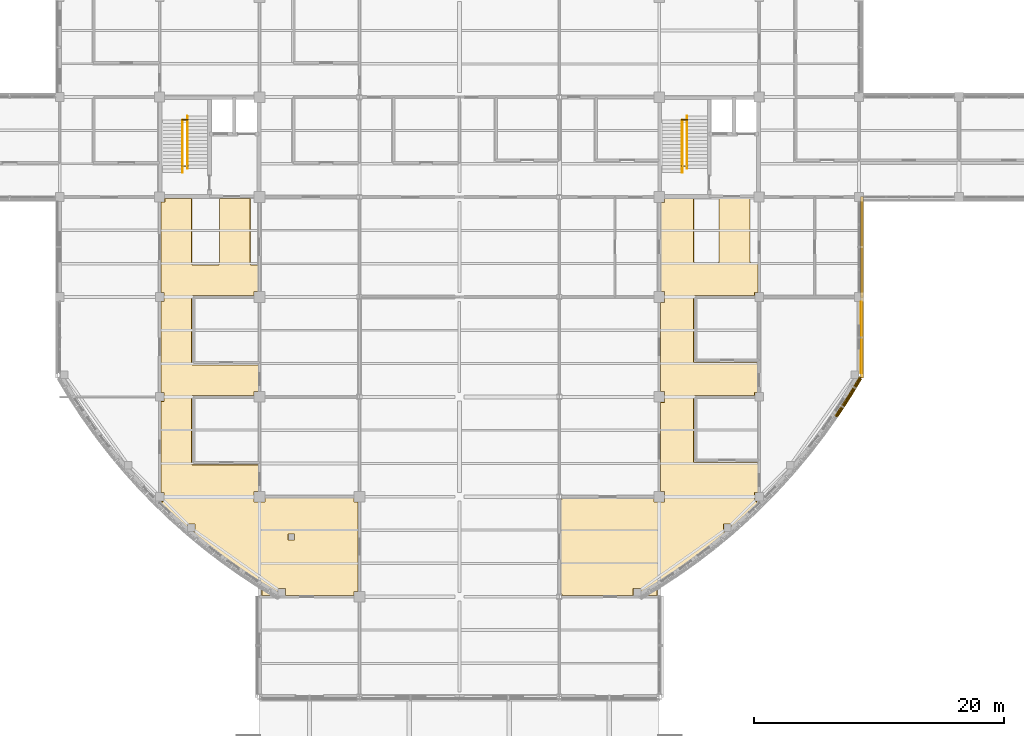
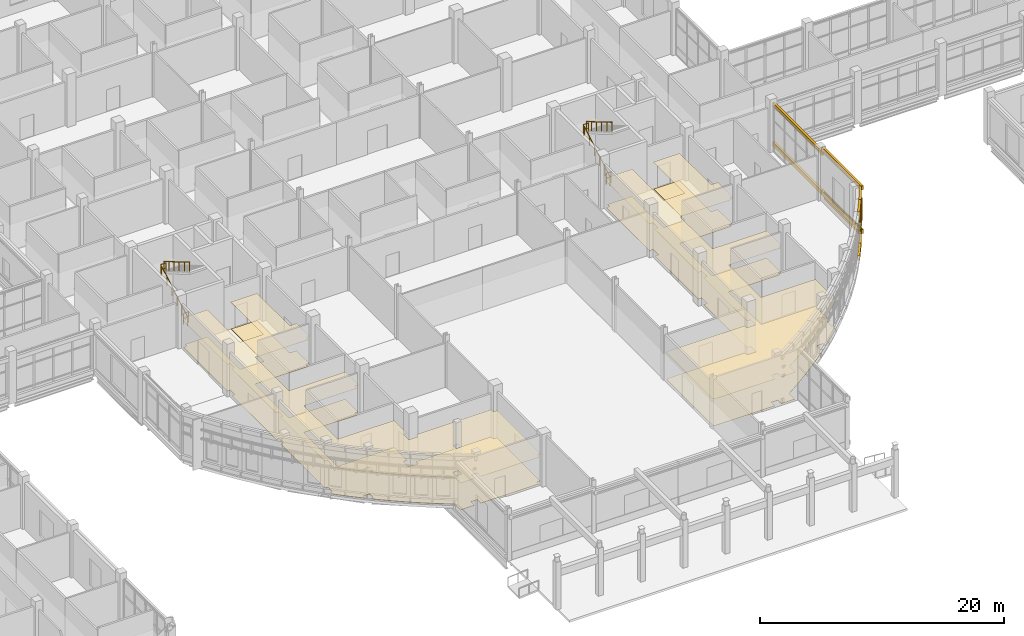
# One storey, part 97 of 105: 13 coverings, 8 railings, 6 shading devices.
"""IFC4 building model written with IfcOpenShell, lengths in metres."""

from ifc_helpers import new_model, si_unit, derived_unit, direction, frame, origin, origin_2d, place, context, subcontext, project, spatial, polyline, rectangle, circle, outline, extrude, material, layer, layer_set, material_profile, profile_set, type_object, element, save


model = new_model("IFC4")

# Units and contexts
model_context = context("Model", 3, precision=1e-05, world=origin(), true_north=direction((0.0, 1.0)))
body_context = subcontext(model_context, "Body", "Model", "MODEL_VIEW")
ifc_project = project(units=[si_unit("LENGTHUNIT", "METRE"), si_unit("AREAUNIT", "SQUARE_METRE"), si_unit("VOLUMEUNIT", "CUBIC_METRE"), si_unit("PLANEANGLEUNIT", "RADIAN"), si_unit("MASSUNIT", "GRAM", prefix="KILO"), derived_unit("THERMALTRANSMITTANCEUNIT", [(si_unit("MASSUNIT", "GRAM", prefix="KILO"), 1), (si_unit("TIMEUNIT", "SECOND"), -3), (si_unit("THERMODYNAMICTEMPERATUREUNIT", "KELVIN"), -1)])], contexts=[model_context])

# Site, building, storey
site_placement = place(None, origin())
site = spatial("IfcSite", under=ifc_project, at=site_placement, CompositionType="ELEMENT")
building_placement = place(site_placement, origin())
building = spatial("IfcBuilding", under=site, at=building_placement, Name="Veyamyaing Civic Hall", CompositionType="ELEMENT")
storey_placement = place(building_placement, origin())
storey = spatial("IfcBuildingStorey", under=building, at=storey_placement, Name="L00", CompositionType="ELEMENT", Elevation=0.0)

# Coverings
ifc_material_1 = material(Name="Buff sandstone ashlar cladding", Category="masonry")
ifc_layer_1 = layer(ifc_material_1, 0.050048828125, Name="Buff sandstone ashlar cladding")
ifc_layer_set_1 = layer_set([ifc_layer_1], Name="Buff sandstone ashlar cladding")
covering_type_1 = type_object("IfcCoveringType", Name="CL-01", PredefinedType="CLADDING", material=ifc_layer_set_1)
covering_1_placement = place(storey_placement, frame((120.173583984375, 36.759521484375, 0.044921875), z_axis=(0.0, 0.0, 1.0), x_axis=(0.0, 1.0, 0.0)))
element("IfcCovering", 1, at=covering_1_placement, inside=storey, type_object=covering_type_1, Name="Facade spandrel cladding CL-01 L00 E 15.5", PredefinedType="CLADDING", context=body_context, shape_type="SweptSolid", body=[
    extrude(rectangle(XDim=5.730712890625, YDim=0.050048828125, at=origin_2d()), origin(), (0.0, 0.0, 1.0), 0.75),
])
ifc_material_2 = material(Name="White powder-coated aluminium 6063-T6", Category="aluminium")
ifc_layer_2 = layer(ifc_material_2, 0.2099609375, Name="White powder-coated aluminium 6063-T6")
ifc_layer_set_2 = layer_set([ifc_layer_2], Name="White powder-coated aluminium 6063-T6")
covering_type_2 = type_object("IfcCoveringType", Name="CL-03", PredefinedType="CLADDING", material=ifc_layer_set_2)
for number, where, z_axis, x_axis, name in (
    (2, (118.648681640625, 31.23681640625, 0.27001953125), (0.0, 0.0, 1.0), (0.547771714075, 0.836627843942, 0.0), "Continuous white corner ribbon CL-03 L00 SE.13.1"),
    (3, (118.648681640625, 31.23681640625, 4.64501953125), (0.0, 0.0, 1.0), (0.547771714075, 0.836627843942, 0.0), "Continuous white corner ribbon CL-03 L00 SE.13.2"),
    (4, (119.605224609375, 32.75927734375, 0.27001953125), (0.0, 0.0, 1.0), (0.516106513571, 0.856524411006, 0.0), "Continuous white corner ribbon CL-03 L00 SE.14.1"),
    (5, (119.605224609375, 32.75927734375, 4.64501953125), (0.0, 0.0, 1.0), (0.516106513571, 0.856524411006, 0.0), "Continuous white corner ribbon CL-03 L00 SE.14.2"),
):
    element("IfcCovering", number, at=place(storey_placement, frame(where, z_axis=z_axis, x_axis=x_axis)), inside=storey, type_object=covering_type_2, Name=name, PredefinedType="CLADDING", context=body_context, shape_type="SweptSolid", body=[
        extrude(rectangle(XDim=1.93505859375, YDim=0.2099609375, at=origin_2d()), origin(), (0.0, 0.0, 1.0), 0.419921875),
    ])
for number, where, z_axis, x_axis, name in (
    (6, (120.239990234375, 36.78466796875, 4.655029296875), (0.0, 0.0, 1.0), (0.0, 1.0, 0.0), "Continuous white head fascia ribbon CL-03 L00 E 15.5"),
    (7, (120.239990234375, 36.78466796875, 0.280029296875), (0.0, 0.0, 1.0), (0.0, 1.0, 0.0), "Continuous white sill fascia ribbon CL-03 L00 E 15.5"),
):
    element("IfcCovering", number, at=place(storey_placement, frame(where, z_axis=z_axis, x_axis=x_axis)), inside=storey, type_object=covering_type_2, Name=name, PredefinedType="CLADDING", context=body_context, shape_type="SweptSolid", body=[
        extrude(rectangle(XDim=6.55078125, YDim=0.2099609375, at=origin_2d()), origin(), (0.0, 0.0, 1.0), 0.39990234375),
    ])
for number, where, z_axis, x_axis, name in (
    (8, (120.239990234375, 44.0, 4.22998046875), (0.0, 0.0, 1.0), (0.0, 1.0, 0.0), "Continuous white head fascia ribbon CL-03 L00 E 15.6"),
    (9, (120.239990234375, 44.0, 0.280029296875), (0.0, 0.0, 1.0), (0.0, 1.0, 0.0), "Continuous white sill fascia ribbon CL-03 L00 E 15.6"),
):
    element("IfcCovering", number, at=place(storey_placement, frame(where, z_axis=z_axis, x_axis=x_axis)), inside=storey, type_object=covering_type_2, Name=name, PredefinedType="CLADDING", context=body_context, shape_type="SweptSolid", body=[
        extrude(rectangle(XDim=8.1201171875, YDim=0.2099609375, at=origin_2d()), origin(), (0.0, 0.0, 1.0), 0.39990234375),
    ])
ifc_material_3 = material(Name="Perforated acoustic gypsum ceiling board")
ifc_layer_3 = layer(ifc_material_3, 0.02490234375, Name="Perforated acoustic gypsum ceiling board")
ifc_layer_set_3 = layer_set([ifc_layer_3], Name="Perforated acoustic gypsum ceiling board")
covering_type_3 = type_object("IfcCoveringType", Name="CLG-01", PredefinedType="CEILING", material=ifc_layer_set_3)
covering_2_placement = place(storey_placement, frame((0.0, 0.0, 2.699951171875)))
element("IfcCovering", 10, at=covering_2_placement, inside=storey, type_object=covering_type_3, Name="Acoustic suspended ceiling CLG-01 L00-C04", PredefinedType="CEILING", context=body_context, shape_type="SweptSolid", body=[
    extrude(outline(polyline([(66.580810546875, 42.6220703125), (66.597412109375, 42.597412109375), (66.62158203125, 42.581298828125), (66.652587890625, 42.574951171875), (68.6982421875, 42.574951171875), (68.7216796875, 42.57861328125), (68.741455078125, 42.587890625), (68.7578125, 42.6025390625), (68.768798828125, 42.620849609375), (68.77490234375, 42.652587890625), (68.77490234375, 47.925048828125), (71.27490234375, 47.925048828125), (71.275390625, 42.643310546875), (71.28076171875, 42.6220703125), (71.29736328125, 42.597412109375), (71.322021484375, 42.580810546875), (71.34326171875, 42.575439453125), (71.925048828125, 42.574951171875), (71.925048828125, 40.409912109375), (71.590087890625, 40.409912109375), (71.590087890625, 40.074951171875), (66.652587890625, 40.074951171875), (66.62158203125, 40.06884765625), (66.597412109375, 40.052734375), (66.581298828125, 40.028564453125), (66.574951171875, 39.99755859375), (66.574951171875, 34.652587890625), (66.581298828125, 34.62158203125), (66.597412109375, 34.597412109375), (66.62158203125, 34.581298828125), (66.652587890625, 34.574951171875), (71.925048828125, 34.574951171875), (71.925048828125, 32.409912109375), (71.590087890625, 32.409912109375), (71.590087890625, 32.074951171875), (66.652587890625, 32.074951171875), (66.62158203125, 32.06884765625), (66.597412109375, 32.052734375), (66.581298828125, 32.028564453125), (66.574951171875, 31.99755859375), (66.574951171875, 26.65185546875), (66.57861328125, 26.62841796875), (66.587890625, 26.6083984375), (66.602294921875, 26.5927734375), (66.62890625, 26.578369140625), (66.65185546875, 26.574951171875), (71.925048828125, 26.574951171875), (71.925048828125, 24.409912109375), (71.590087890625, 24.409912109375), (71.590087890625, 23.590087890625), (72.409912109375, 23.590087890625), (72.409912109375, 23.925048828125), (79.590087890625, 23.925048828125), (79.590087890625, 23.590087890625), (79.925048828125, 23.590087890625), (79.925048828125, 16.409912109375), (79.590087890625, 16.409912109375), (79.590087890625, 16.074951171875), (74.064208984375, 16.074951171875), (74.064208984375, 16.648681640625), (73.494140625, 16.648681640625), (73.494140625, 16.074951171875), (72.155029296875, 16.074951171875), (72.154052734375, 16.96240234375), (72.148193359375, 16.992431640625), (72.136474609375, 17.020263671875), (72.108154296875, 17.057861328125), (72.083984375, 17.07763671875), (70.6171875, 18.037841796875), (69.157958984375, 19.0732421875), (67.73828125, 20.16259765625), (66.462158203125, 21.219970703125), (66.818359375, 21.219970703125), (66.818359375, 21.789794921875), (66.248291015625, 21.789794921875), (66.248291015625, 21.404296875), (65.0263671875, 22.496337890625), (64.155029296875, 23.335693359375), (64.155029296875, 23.6650390625), (64.3349609375, 23.6650390625), (64.3349609375, 24.3349609375), (64.074951171875, 24.3349609375), (64.074951171875, 31.6650390625), (64.3349609375, 31.6650390625), (64.3349609375, 32.3349609375), (64.074951171875, 32.3349609375), (64.074951171875, 39.6650390625), (64.3349609375, 39.6650390625), (64.3349609375, 40.3349609375), (64.074951171875, 40.3349609375), (64.074951171875, 47.614990234375), (64.385009765625, 47.614990234375), (64.385009765625, 47.925048828125), (66.574951171875, 47.925048828125), (66.575439453125, 42.643310546875), (66.580810546875, 42.6220703125)]), holes=[polyline([(74.31494140625, 21.014892578125), (74.31494140625, 20.544921875), (74.784912109375, 20.544921875), (74.784912109375, 21.014892578125), (74.31494140625, 21.014892578125)])]), origin(), (0.0, 0.0, 1.0), 0.025146484375),
])
covering_3_placement = place(storey_placement, frame((0.0, 0.0, 2.699951171875)))
element("IfcCovering", 11, at=covering_3_placement, inside=storey, type_object=covering_type_3, Name="Acoustic suspended ceiling CLG-01 L00-C05", PredefinedType="CEILING", context=body_context, shape_type="SweptSolid", body=[
    extrude(outline(polyline([(106.78076171875, 42.822021484375), (106.79736328125, 42.79736328125), (106.821533203125, 42.78125), (106.8525390625, 42.77490234375), (108.6982421875, 42.77490234375), (108.7216796875, 42.778564453125), (108.741455078125, 42.787841796875), (108.7578125, 42.802490234375), (108.768798828125, 42.82080078125), (108.77490234375, 42.8525390625), (108.77490234375, 47.925048828125), (111.27490234375, 47.925048828125), (111.275390625, 42.84326171875), (111.28076171875, 42.822021484375), (111.29736328125, 42.79736328125), (111.322021484375, 42.78076171875), (111.34326171875, 42.775390625), (111.925048828125, 42.77490234375), (111.925048828125, 40.3349609375), (111.6650390625, 40.3349609375), (111.6650390625, 40.074951171875), (106.8525390625, 40.074951171875), (106.821533203125, 40.06884765625), (106.79736328125, 40.052734375), (106.78125, 40.028564453125), (106.77490234375, 39.99755859375), (106.77490234375, 34.8525390625), (106.78125, 34.821533203125), (106.79736328125, 34.79736328125), (106.821533203125, 34.78125), (106.8525390625, 34.77490234375), (111.925048828125, 34.77490234375), (111.925048828125, 32.3349609375), (111.6650390625, 32.3349609375), (111.6650390625, 32.074951171875), (106.8525390625, 32.074951171875), (106.821533203125, 32.06884765625), (106.79736328125, 32.052734375), (106.78125, 32.028564453125), (106.77490234375, 31.99755859375), (106.77490234375, 26.8525390625), (106.78125, 26.821533203125), (106.79736328125, 26.79736328125), (106.821533203125, 26.78125), (106.8525390625, 26.77490234375), (111.925048828125, 26.77490234375), (111.925048828125, 24.3349609375), (111.6650390625, 24.3349609375), (111.6650390625, 23.6650390625), (111.844970703125, 23.6650390625), (111.844970703125, 23.335693359375), (110.9736328125, 22.496337890625), (109.751708984375, 21.404296875), (109.751708984375, 21.789794921875), (109.181640625, 21.789794921875), (109.181640625, 21.219970703125), (109.537841796875, 21.219970703125), (108.26171875, 20.16259765625), (106.842041015625, 19.0732421875), (105.3828125, 18.037841796875), (103.916015625, 17.07763671875), (103.891845703125, 17.057861328125), (103.863525390625, 17.020263671875), (103.851806640625, 16.992431640625), (103.845947265625, 16.96240234375), (103.844970703125, 16.074951171875), (102.505859375, 16.074951171875), (102.505859375, 16.648681640625), (101.935791015625, 16.648681640625), (101.935791015625, 16.074951171875), (96.18408203125, 16.074951171875), (96.18408203125, 16.178466796875), (96.074951171875, 16.178466796875), (96.074951171875, 23.821533203125), (96.18408203125, 23.821533203125), (96.18408203125, 23.925048828125), (103.590087890625, 23.925048828125), (103.590087890625, 23.590087890625), (104.409912109375, 23.590087890625), (104.409912109375, 24.409912109375), (104.074951171875, 24.409912109375), (104.074951171875, 31.590087890625), (104.409912109375, 31.590087890625), (104.409912109375, 32.409912109375), (104.074951171875, 32.409912109375), (104.074951171875, 39.590087890625), (104.409912109375, 39.590087890625), (104.409912109375, 40.409912109375), (104.074951171875, 40.409912109375), (104.074951171875, 47.590087890625), (104.409912109375, 47.590087890625), (104.409912109375, 47.925048828125), (106.77490234375, 47.925048828125), (106.775390625, 42.84326171875), (106.78076171875, 42.822021484375)])), origin(), (0.0, 0.0, 1.0), 0.025146484375),
])
ifc_material_4 = material(Name="Polished Mandalay marble and terrazzo flooring", Category="masonry")
ifc_layer_4 = layer(ifc_material_4, 0.030029296875, Name="Polished Mandalay marble and terrazzo flooring")
ifc_layer_set_4 = layer_set([ifc_layer_4], Name="Polished Mandalay marble and terrazzo flooring")
covering_type_4 = type_object("IfcCoveringType", Name="FLR-01", PredefinedType="FLOORING", material=ifc_layer_set_4)
covering_4_placement = place(storey_placement, origin())
element("IfcCovering", 12, at=covering_4_placement, inside=storey, type_object=covering_type_4, Name="Stone and terrazzo flooring FLR-01 L00-C04", PredefinedType="FLOORING", context=body_context, shape_type="SweptSolid", body=[
    extrude(outline(polyline([(66.5576171875, 42.61181640625), (66.579345703125, 42.579345703125), (66.61181640625, 42.5576171875), (66.64990234375, 42.550048828125), (68.699951171875, 42.550048828125), (68.72900390625, 42.55419921875), (68.755615234375, 42.56689453125), (68.77734375, 42.586669921875), (68.79248046875, 42.61181640625), (68.800048828125, 42.64990234375), (68.800048828125, 47.89990234375), (71.25, 47.89990234375), (71.25048828125, 42.64013671875), (71.257568359375, 42.61181640625), (71.279296875, 42.579345703125), (71.311767578125, 42.5576171875), (71.340087890625, 42.550537109375), (71.89990234375, 42.550048828125), (71.89990234375, 40.43505859375), (71.56494140625, 40.43505859375), (71.56494140625, 40.10009765625), (66.64990234375, 40.10009765625), (66.61181640625, 40.09228515625), (66.579345703125, 40.07080078125), (66.5576171875, 40.038330078125), (66.550048828125, 40.0), (66.550048828125, 34.64990234375), (66.5576171875, 34.61181640625), (66.579345703125, 34.579345703125), (66.61181640625, 34.5576171875), (66.64990234375, 34.550048828125), (71.89990234375, 34.550048828125), (71.89990234375, 32.43505859375), (71.56494140625, 32.43505859375), (71.56494140625, 32.10009765625), (66.64990234375, 32.10009765625), (66.61181640625, 32.09228515625), (66.579345703125, 32.07080078125), (66.5576171875, 32.038330078125), (66.550048828125, 32.0), (66.550048828125, 26.64990234375), (66.55419921875, 26.62109375), (66.56689453125, 26.594482421875), (66.586669921875, 26.57275390625), (66.62109375, 26.55419921875), (66.64990234375, 26.550048828125), (71.89990234375, 26.550048828125), (71.89990234375, 24.43505859375), (71.56494140625, 24.43505859375), (71.56494140625, 23.56494140625), (72.43505859375, 23.56494140625), (72.43505859375, 23.89990234375), (79.56494140625, 23.89990234375), (79.56494140625, 23.56494140625), (79.89990234375, 23.56494140625), (79.89990234375, 16.43505859375), (79.56494140625, 16.43505859375), (79.56494140625, 16.10009765625), (74.089111328125, 16.10009765625), (74.089111328125, 16.673583984375), (73.46923828125, 16.673583984375), (73.46923828125, 16.10009765625), (72.179931640625, 16.10009765625), (72.17919921875, 16.965087890625), (72.172119140625, 17.0), (72.158203125, 17.03271484375), (72.126220703125, 17.075439453125), (72.0986328125, 17.097900390625), (70.63134765625, 18.05859375), (69.1728515625, 19.093505859375), (67.75390625, 20.18212890625), (66.531494140625, 21.19482421875), (66.843505859375, 21.19482421875), (66.843505859375, 21.81494140625), (66.223388671875, 21.81494140625), (66.223388671875, 21.460205078125), (65.04345703125, 22.5146484375), (64.179931640625, 23.346435546875), (64.179931640625, 23.639892578125), (64.360107421875, 23.639892578125), (64.360107421875, 24.360107421875), (64.10009765625, 24.360107421875), (64.10009765625, 31.639892578125), (64.360107421875, 31.639892578125), (64.360107421875, 32.360107421875), (64.10009765625, 32.360107421875), (64.10009765625, 39.639892578125), (64.360107421875, 39.639892578125), (64.360107421875, 40.360107421875), (64.10009765625, 40.360107421875), (64.10009765625, 47.590087890625), (64.409912109375, 47.590087890625), (64.409912109375, 47.89990234375), (66.550048828125, 47.89990234375), (66.550537109375, 42.64013671875), (66.5576171875, 42.61181640625)]), holes=[polyline([(74.2900390625, 21.0400390625), (74.2900390625, 20.52001953125), (74.81005859375, 20.52001953125), (74.81005859375, 21.0400390625), (74.2900390625, 21.0400390625)])]), origin(), (0.0, 0.0, 1.0), 0.030029296875),
])
covering_5_placement = place(storey_placement, origin())
element("IfcCovering", 13, at=covering_5_placement, inside=storey, type_object=covering_type_4, Name="Stone and terrazzo flooring FLR-01 L00-C05", PredefinedType="FLOORING", context=body_context, shape_type="SweptSolid", body=[
    extrude(outline(polyline([(106.757568359375, 42.811767578125), (106.779296875, 42.779296875), (106.811767578125, 42.757568359375), (106.85009765625, 42.75), (108.699951171875, 42.75), (108.72900390625, 42.75439453125), (108.755615234375, 42.766845703125), (108.77734375, 42.78662109375), (108.79248046875, 42.811767578125), (108.800048828125, 42.85009765625), (108.800048828125, 47.89990234375), (111.25, 47.89990234375), (111.25048828125, 42.840087890625), (111.257568359375, 42.811767578125), (111.279296875, 42.779296875), (111.311767578125, 42.757568359375), (111.340087890625, 42.75048828125), (111.89990234375, 42.75), (111.89990234375, 40.360107421875), (111.639892578125, 40.360107421875), (111.639892578125, 40.10009765625), (106.85009765625, 40.10009765625), (106.811767578125, 40.09228515625), (106.779296875, 40.07080078125), (106.757568359375, 40.038330078125), (106.75, 40.0), (106.75, 34.85009765625), (106.757568359375, 34.811767578125), (106.779296875, 34.779296875), (106.811767578125, 34.757568359375), (106.85009765625, 34.75), (111.89990234375, 34.75), (111.89990234375, 32.360107421875), (111.639892578125, 32.360107421875), (111.639892578125, 32.10009765625), (106.85009765625, 32.10009765625), (106.811767578125, 32.09228515625), (106.779296875, 32.07080078125), (106.757568359375, 32.038330078125), (106.75, 32.0), (106.75, 26.85009765625), (106.757568359375, 26.811767578125), (106.779296875, 26.779296875), (106.811767578125, 26.757568359375), (106.85009765625, 26.75), (111.89990234375, 26.75), (111.89990234375, 24.360107421875), (111.639892578125, 24.360107421875), (111.639892578125, 23.639892578125), (111.820068359375, 23.639892578125), (111.820068359375, 23.346435546875), (110.95654296875, 22.5146484375), (109.776611328125, 21.460205078125), (109.776611328125, 21.81494140625), (109.156494140625, 21.81494140625), (109.156494140625, 21.19482421875), (109.468505859375, 21.19482421875), (108.24609375, 20.18212890625), (106.8271484375, 19.093505859375), (105.36865234375, 18.05859375), (103.9013671875, 17.097900390625), (103.873779296875, 17.075439453125), (103.841796875, 17.03271484375), (103.827880859375, 17.0), (103.82080078125, 16.965087890625), (103.820068359375, 16.10009765625), (102.53076171875, 16.10009765625), (102.53076171875, 16.673583984375), (101.910888671875, 16.673583984375), (101.910888671875, 16.10009765625), (96.208984375, 16.10009765625), (96.208984375, 16.20361328125), (96.10009765625, 16.20361328125), (96.10009765625, 23.79638671875), (96.208984375, 23.79638671875), (96.208984375, 23.89990234375), (103.56494140625, 23.89990234375), (103.56494140625, 23.56494140625), (104.43505859375, 23.56494140625), (104.43505859375, 24.43505859375), (104.10009765625, 24.43505859375), (104.10009765625, 31.56494140625), (104.43505859375, 31.56494140625), (104.43505859375, 32.43505859375), (104.10009765625, 32.43505859375), (104.10009765625, 39.56494140625), (104.43505859375, 39.56494140625), (104.43505859375, 40.43505859375), (104.10009765625, 40.43505859375), (104.10009765625, 47.56494140625), (104.43505859375, 47.56494140625), (104.43505859375, 47.89990234375), (106.75, 47.89990234375), (106.75048828125, 42.840087890625), (106.757568359375, 42.811767578125)])), origin(), (0.0, 0.0, 1.0), 0.030029296875),
])

# Railings
ifc_material_5 = material(Name="Steel S355J2", Category="steel")
railing_type_1 = type_object("IfcRailingType", Name="RL-01", PredefinedType="BALUSTRADE", material=ifc_material_5)
railing_1_placement = place(storey_placement, frame((65.780029296875, 54.18994140625, 2.639892578125)))
element("IfcRailing", 14, at=railing_1_placement, inside=storey, type_object=railing_type_1, Name="Half-landing slot guard RL-01 ST-05 L00", PredefinedType="BALUSTRADE", context=body_context, shape_type="SweptSolid", body=[
    extrude(circle(Radius=0.02392578125, at=origin_2d()), frame((0.0, 0.0, 1.076171875), z_axis=(1.0, 0.0, 0.0), x_axis=(0.0, 1.0, 0.0)), (0.0, 0.0, 1.0), 0.489990234375),
    extrude(circle(Radius=0.01416015625, at=origin_2d()), frame((0.0, 0.0, 0.572021484375), z_axis=(1.0, 0.0, 0.0), x_axis=(0.0, 1.0, 0.0)), (0.0, 0.0, 1.0), 0.489990234375),
    extrude(circle(Radius=0.02099609375, at=origin_2d()), origin(), (0.0, 0.0, 1.0), 1.052001953125),
    extrude(circle(Radius=0.02099609375, at=origin_2d()), frame((0.489990234375, 0.0, 0.0)), (0.0, 0.0, 1.0), 1.052001953125),
])
railing_2_placement = place(storey_placement, frame((65.800048828125, 50.47998046875, 0.0)))
element("IfcRailing", 15, at=railing_2_placement, inside=storey, type_object=railing_type_1, Name="Floor-landing slot guard RL-01 ST-05 L00", PredefinedType="BALUSTRADE", context=body_context, shape_type="SweptSolid", body=[
    extrude(circle(Radius=0.02392578125, at=origin_2d()), frame((0.0, 0.0, 1.076171875), z_axis=(1.0, 0.0, 0.0), x_axis=(0.0, 1.0, 0.0)), (0.0, 0.0, 1.0), 0.469970703125),
    extrude(circle(Radius=0.01416015625, at=origin_2d()), frame((0.0, 0.0, 0.572021484375), z_axis=(1.0, 0.0, 0.0), x_axis=(0.0, 1.0, 0.0)), (0.0, 0.0, 1.0), 0.469970703125),
    extrude(circle(Radius=0.02099609375, at=origin_2d()), origin(), (0.0, 0.0, 1.0), 1.052001953125),
    extrude(circle(Radius=0.02099609375, at=origin_2d()), frame((0.469970703125, 0.0, 0.0)), (0.0, 0.0, 1.0), 1.052001953125),
])
railing_3_placement = place(storey_placement, frame((105.780029296875, 54.18994140625, 2.639892578125)))
element("IfcRailing", 16, at=railing_3_placement, inside=storey, type_object=railing_type_1, Name="Half-landing slot guard RL-01 ST-06 L00", PredefinedType="BALUSTRADE", context=body_context, shape_type="SweptSolid", body=[
    extrude(circle(Radius=0.02392578125, at=origin_2d()), frame((0.0, 0.0, 1.076171875), z_axis=(1.0, 0.0, 0.0), x_axis=(0.0, 1.0, 0.0)), (0.0, 0.0, 1.0), 0.489990234375),
    extrude(circle(Radius=0.01416015625, at=origin_2d()), frame((0.0, 0.0, 0.572021484375), z_axis=(1.0, 0.0, 0.0), x_axis=(0.0, 1.0, 0.0)), (0.0, 0.0, 1.0), 0.489990234375),
    extrude(circle(Radius=0.02099609375, at=origin_2d()), origin(), (0.0, 0.0, 1.0), 1.052001953125),
    extrude(circle(Radius=0.02099609375, at=origin_2d()), frame((0.489990234375, 0.0, 0.0)), (0.0, 0.0, 1.0), 1.052001953125),
])
railing_4_placement = place(storey_placement, frame((105.800048828125, 50.47998046875, 0.0)))
element("IfcRailing", 17, at=railing_4_placement, inside=storey, type_object=railing_type_1, Name="Floor-landing slot guard RL-01 ST-06 L00", PredefinedType="BALUSTRADE", context=body_context, shape_type="SweptSolid", body=[
    extrude(circle(Radius=0.02392578125, at=origin_2d()), frame((0.0, 0.0, 1.076171875), z_axis=(1.0, 0.0, 0.0), x_axis=(0.0, 1.0, 0.0)), (0.0, 0.0, 1.0), 0.469970703125),
    extrude(circle(Radius=0.01416015625, at=origin_2d()), frame((0.0, 0.0, 0.572021484375), z_axis=(1.0, 0.0, 0.0), x_axis=(0.0, 1.0, 0.0)), (0.0, 0.0, 1.0), 0.469970703125),
    extrude(circle(Radius=0.02099609375, at=origin_2d()), origin(), (0.0, 0.0, 1.0), 1.052001953125),
    extrude(circle(Radius=0.02099609375, at=origin_2d()), frame((0.469970703125, 0.0, 0.0)), (0.0, 0.0, 1.0), 1.052001953125),
])
railing_type_2 = type_object("IfcRailingType", Name="RL-02", PredefinedType="HANDRAIL", material=ifc_material_5)
railing_5_placement = place(storey_placement, frame((65.840087890625, 49.949951171875, 0.1650390625)))
element("IfcRailing", 18, at=railing_5_placement, inside=storey, type_object=railing_type_2, Name="Stair pitch handrail RL-02 ST-05 L00.1", PredefinedType="HANDRAIL", context=body_context, shape_type="SweptSolid", body=[
    extrude(circle(Radius=0.02392578125, at=origin_2d()), frame((0.0, 0.0, 0.89599609375), z_axis=(0.0, 0.861549022881, 0.507674384988), x_axis=(-1.0, 0.0, 0.0)), (0.0, 0.0, 1.0), 4.875),
    extrude(circle(Radius=0.02099609375, at=origin_2d()), origin(), (0.0, 0.0, 1.0), 0.871826171875),
    extrude(circle(Radius=0.02099609375, at=origin_2d()), frame((0.0, 0.840087890625, 0.494873046875)), (0.0, 0.0, 1.0), 0.871826171875),
    extrude(circle(Radius=0.02099609375, at=origin_2d()), frame((0.0, 1.679931640625, 0.989990234375)), (0.0, 0.0, 1.0), 0.871826171875),
    extrude(circle(Radius=0.02099609375, at=origin_2d()), frame((0.0, 2.52001953125, 1.48486328125)), (0.0, 0.0, 1.0), 0.871826171875),
    extrude(circle(Radius=0.02099609375, at=origin_2d()), frame((0.0, 3.35986328125, 1.97998046875)), (0.0, 0.0, 1.0), 0.871826171875),
    extrude(circle(Radius=0.02099609375, at=origin_2d()), frame((0.0, 4.199951171875, 2.474853515625)), (0.0, 0.0, 1.0), 0.871826171875),
])
railing_6_placement = place(storey_placement, frame((66.219970703125, 54.469970703125, 2.804931640625)))
element("IfcRailing", 19, at=railing_6_placement, inside=storey, type_object=railing_type_2, Name="Stair pitch handrail RL-02 ST-05 L00.2", PredefinedType="HANDRAIL", context=body_context, shape_type="SweptSolid", body=[
    extrude(circle(Radius=0.02392578125, at=origin_2d()), frame((0.0, 0.0, 0.89599609375), z_axis=(0.0, -0.861527117747, 0.50771155727), x_axis=(1.0, 0.0, 0.0)), (0.0, 0.0, 1.0), 4.875),
    extrude(circle(Radius=0.02099609375, at=origin_2d()), origin(), (0.0, 0.0, 1.0), 0.871826171875),
    extrude(circle(Radius=0.02099609375, at=origin_2d()), frame((0.0, -0.840087890625, 0.4951171875)), (0.0, 0.0, 1.0), 0.871826171875),
    extrude(circle(Radius=0.02099609375, at=origin_2d()), frame((0.0, -1.679931640625, 0.989990234375)), (0.0, 0.0, 1.0), 0.871826171875),
    extrude(circle(Radius=0.02099609375, at=origin_2d()), frame((0.0, -2.52001953125, 1.485107421875)), (0.0, 0.0, 1.0), 0.871826171875),
    extrude(circle(Radius=0.02099609375, at=origin_2d()), frame((0.0, -3.35986328125, 1.97998046875)), (0.0, 0.0, 1.0), 0.871826171875),
    extrude(circle(Radius=0.02099609375, at=origin_2d()), frame((0.0, -4.199951171875, 2.47509765625)), (0.0, 0.0, 1.0), 0.871826171875),
])
railing_7_placement = place(storey_placement, frame((105.840087890625, 49.949951171875, 0.1650390625)))
element("IfcRailing", 20, at=railing_7_placement, inside=storey, type_object=railing_type_2, Name="Stair pitch handrail RL-02 ST-06 L00.1", PredefinedType="HANDRAIL", context=body_context, shape_type="SweptSolid", body=[
    extrude(circle(Radius=0.02392578125, at=origin_2d()), frame((0.0, 0.0, 0.89599609375), z_axis=(0.0, 0.861549022881, 0.507674384988), x_axis=(-1.0, 0.0, 0.0)), (0.0, 0.0, 1.0), 4.875),
    extrude(circle(Radius=0.02099609375, at=origin_2d()), origin(), (0.0, 0.0, 1.0), 0.871826171875),
    extrude(circle(Radius=0.02099609375, at=origin_2d()), frame((0.0, 0.840087890625, 0.494873046875)), (0.0, 0.0, 1.0), 0.871826171875),
    extrude(circle(Radius=0.02099609375, at=origin_2d()), frame((0.0, 1.679931640625, 0.989990234375)), (0.0, 0.0, 1.0), 0.871826171875),
    extrude(circle(Radius=0.02099609375, at=origin_2d()), frame((0.0, 2.52001953125, 1.48486328125)), (0.0, 0.0, 1.0), 0.871826171875),
    extrude(circle(Radius=0.02099609375, at=origin_2d()), frame((0.0, 3.35986328125, 1.97998046875)), (0.0, 0.0, 1.0), 0.871826171875),
    extrude(circle(Radius=0.02099609375, at=origin_2d()), frame((0.0, 4.199951171875, 2.474853515625)), (0.0, 0.0, 1.0), 0.871826171875),
])
railing_8_placement = place(storey_placement, frame((106.219970703125, 54.469970703125, 2.804931640625)))
element("IfcRailing", 21, at=railing_8_placement, inside=storey, type_object=railing_type_2, Name="Stair pitch handrail RL-02 ST-06 L00.2", PredefinedType="HANDRAIL", context=body_context, shape_type="SweptSolid", body=[
    extrude(circle(Radius=0.02392578125, at=origin_2d()), frame((0.0, 0.0, 0.89599609375), z_axis=(0.0, -0.861527117747, 0.50771155727), x_axis=(1.0, 0.0, 0.0)), (0.0, 0.0, 1.0), 4.875),
    extrude(circle(Radius=0.02099609375, at=origin_2d()), origin(), (0.0, 0.0, 1.0), 0.871826171875),
    extrude(circle(Radius=0.02099609375, at=origin_2d()), frame((0.0, -0.840087890625, 0.4951171875)), (0.0, 0.0, 1.0), 0.871826171875),
    extrude(circle(Radius=0.02099609375, at=origin_2d()), frame((0.0, -1.679931640625, 0.989990234375)), (0.0, 0.0, 1.0), 0.871826171875),
    extrude(circle(Radius=0.02099609375, at=origin_2d()), frame((0.0, -2.52001953125, 1.485107421875)), (0.0, 0.0, 1.0), 0.871826171875),
    extrude(circle(Radius=0.02099609375, at=origin_2d()), frame((0.0, -3.35986328125, 1.97998046875)), (0.0, 0.0, 1.0), 0.871826171875),
    extrude(circle(Radius=0.02099609375, at=origin_2d()), frame((0.0, -4.199951171875, 2.47509765625)), (0.0, 0.0, 1.0), 0.871826171875),
])

# Shading devices
ifc_material_profile = material_profile(ifc_material_2, circle(Radius=0.110107421875, at=origin_2d()), Name="SHADE-TUBE-220")
ifc_profile_set = profile_set([ifc_material_profile], Name="White powder-coated aluminium 6063-T6")
shading_device_type = type_object("IfcShadingDeviceType", Name="SH-01", PredefinedType="USERDEFINED", material=ifc_profile_set)
for number, where, z_axis, x_axis, name in (
    (22, (118.22412109375, 30.442138671875, 2.949951171875), (0.547776876079, 0.836624464161, 0.0), (-0.836624464161, 0.547776876079, 0.0), "White corner sunshade ribbon SH-01 L00 SE.13.1"),
    (23, (118.22412109375, 30.442138671875, 3.85009765625), (0.547776876079, 0.836624464161, 0.0), (-0.836624464161, 0.547776876079, 0.0), "White corner sunshade ribbon SH-01 L00 SE.13.2"),
):
    element("IfcShadingDevice", number, at=place(storey_placement, frame(where, z_axis=z_axis, x_axis=x_axis)), inside=storey, type_object=shading_device_type, Name=name, ObjectType="SUNSHADE", PredefinedType="USERDEFINED", context=body_context, shape_type="SweptSolid", body=[
        extrude(circle(Radius=0.110107421875, at=origin_2d()), origin(), (0.0, 0.0, 1.0), 1.795166015625),
    ])
for number, where, z_axis, x_axis, name in (
    (24, (119.210693359375, 31.94921875, 2.949951171875), (0.51607516088, 0.856543302071, 0.0), (-0.856543302071, 0.51607516088, 0.0), "White corner sunshade ribbon SH-01 L00 SE.14.1"),
    (25, (119.210693359375, 31.94921875, 3.85009765625), (0.51607516088, 0.856543302071, 0.0), (-0.856543302071, 0.51607516088, 0.0), "White corner sunshade ribbon SH-01 L00 SE.14.2"),
):
    element("IfcShadingDevice", number, at=place(storey_placement, frame(where, z_axis=z_axis, x_axis=x_axis)), inside=storey, type_object=shading_device_type, Name=name, ObjectType="SUNSHADE", PredefinedType="USERDEFINED", context=body_context, shape_type="SweptSolid", body=[
        extrude(circle(Radius=0.110107421875, at=origin_2d()), origin(), (0.0, 0.0, 1.0), 1.794921875),
    ])
shading_device_1_placement = place(storey_placement, frame((120.239990234375, 33.854248046875, 4.81494140625), z_axis=(0.0, 1.0, 0.0), x_axis=(-1.0, 0.0, 0.0)))
element("IfcShadingDevice", 26, at=shading_device_1_placement, inside=storey, type_object=shading_device_type, Name="Horizontal white sunshade ribbon SH-01 L00 E 15.5", ObjectType="SUNSHADE", PredefinedType="USERDEFINED", context=body_context, shape_type="SweptSolid", body=[
    extrude(circle(Radius=0.110107421875, at=origin_2d()), origin(), (0.0, 0.0, 1.0), 5.810791015625),
])
shading_device_2_placement = place(storey_placement, frame((120.239990234375, 40.3349609375, 4.389892578125), z_axis=(0.0, 1.0, 0.0), x_axis=(-1.0, 0.0, 0.0)))
element("IfcShadingDevice", 27, at=shading_device_2_placement, inside=storey, type_object=shading_device_type, Name="Horizontal white sunshade ribbon SH-01 L00 E 15.6", ObjectType="SUNSHADE", PredefinedType="USERDEFINED", context=body_context, shape_type="SweptSolid", body=[
    extrude(circle(Radius=0.110107421875, at=origin_2d()), origin(), (0.0, 0.0, 1.0), 7.330078125),
])

save(model, "model.ifc")
